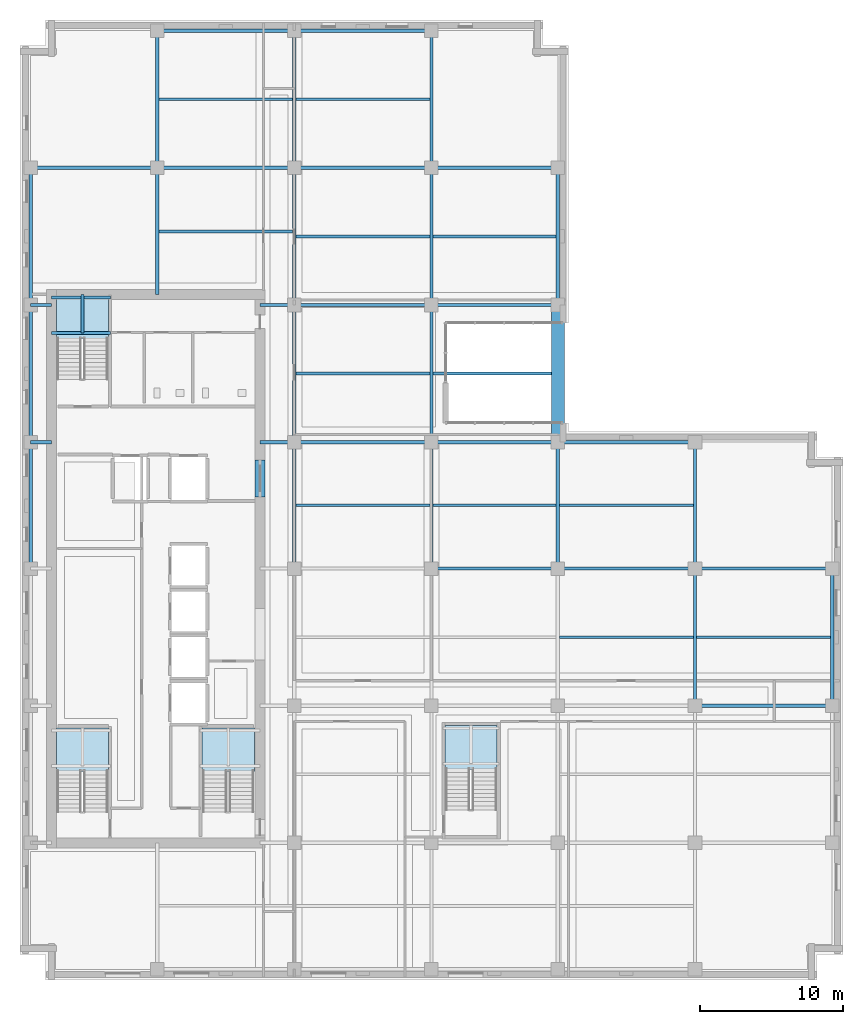
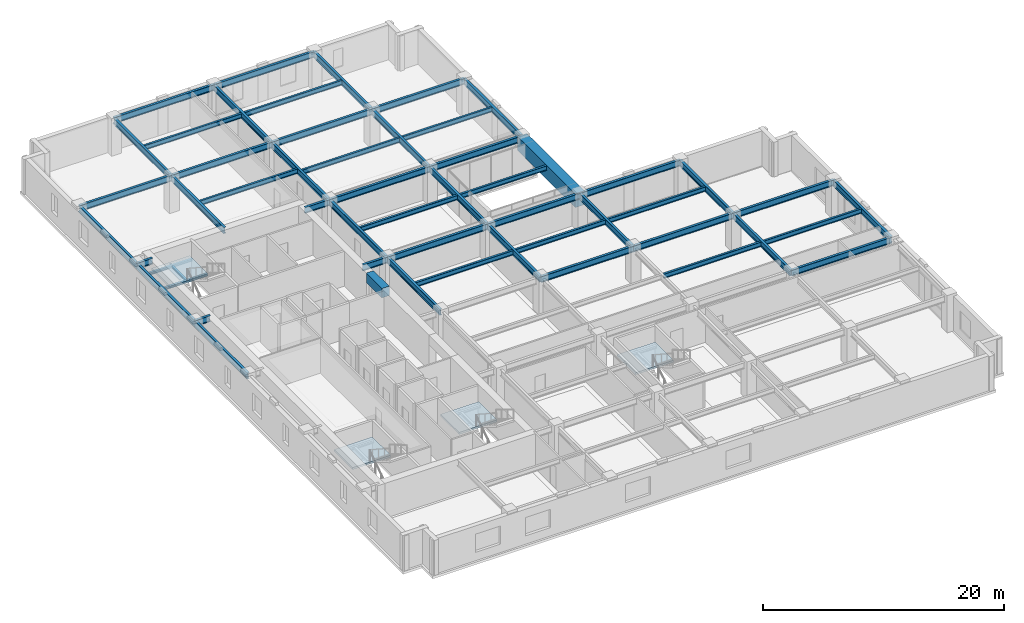
# One storey, part 2 of 13: 54 beams, 4 slabs, 4 elements without a shape of their own.
"""IFC4 building model written with IfcOpenShell, lengths in metres."""

from ifc_helpers import new_model, si_unit, direction, frame, origin, origin_2d, place, context, subcontext, project, spatial, polyline, rectangle, i_section, outline, extrude, material, layer, layer_set, material_profile, profile_set, type_object, element, aggregate, save


model = new_model("IFC4")

# Units and contexts
model_context = context("Model", 3, precision=1e-05, world=origin(), true_north=direction((0.0, 1.0)))
body_context = subcontext(model_context, "Body", "Model", "MODEL_VIEW")
ifc_project = project(units=[si_unit("LENGTHUNIT", "METRE"), si_unit("AREAUNIT", "SQUARE_METRE"), si_unit("VOLUMEUNIT", "CUBIC_METRE"), si_unit("PLANEANGLEUNIT", "RADIAN"), si_unit("MASSUNIT", "GRAM", prefix="KILO")], contexts=[model_context])

# Site, building, storey
site_placement = place(None, origin())
site = spatial("IfcSite", under=ifc_project, at=site_placement, CompositionType="ELEMENT")
building_placement = place(site_placement, origin())
building = spatial("IfcBuilding", under=site, at=building_placement, Name="Norrvale University Quadrangle", CompositionType="ELEMENT")
storey_placement = place(building_placement, frame((0.0, 0.0, 171.199951171875)))
storey = spatial("IfcBuildingStorey", under=building, at=storey_placement, Name="L43", CompositionType="ELEMENT", Elevation=171.199951171875)

# Beams
ifc_material_1 = material(Name="Concrete C80/95", Category="concrete")
ifc_material_profile_1 = material_profile(ifc_material_1, rectangle(XDim=0.699951171875, YDim=0.949951171875, at=origin_2d()), Name="Concrete C80/95")
ifc_profile_set_1 = profile_set([ifc_material_profile_1], Name="Concrete C80/95")
beam_type_1 = type_object("IfcBeamType", Name="Beam Core Link 700x950", PredefinedType="LINTEL", material=ifc_profile_set_1)
beam_1_placement = place(storey_placement, frame((16.800048828125, 33.800048828125, 3.06494140625), z_axis=(0.0, 1.0, 0.0), x_axis=(-1.0, 0.0, 0.0)))
element("IfcBeam", 1, at=beam_1_placement, inside=storey, type_object=beam_type_1, Name="Core Coupling Lintel Beam L43-2", PredefinedType="LINTEL", context=body_context, shape_type="SweptSolid", body=[
    extrude(rectangle(XDim=0.699951171875, YDim=0.949951171875, at=origin_2d()), origin(), (0.0, 0.0, 1.0), 2.599853515625),
])
ifc_material_2 = material(Name="Steel 350W", Category="steel")
ifc_material_profile_2 = material_profile(ifc_material_2, i_section(OverallWidth=0.194091796875, OverallDepth=0.468994140625, WebThickness=0.0126953125, FlangeThickness=0.0205078125, FilletRadius=0.012939453125, at=origin_2d()), Name="Steel 350W")
ifc_profile_set_2 = profile_set([ifc_material_profile_2], Name="Steel 350W")
beam_type_2 = type_object("IfcBeamType", Name="Beam Floor W460x106", PredefinedType="BEAM", material=ifc_profile_set_2)
beam_2_placement = place(storey_placement, frame((9.715087890625, 61.64990234375, 3.3056640625), z_axis=(1.0, 0.0, 0.0), x_axis=(0.0, 1.0, 0.0)))
element("IfcBeam", 2, at=beam_2_placement, inside=storey, type_object=beam_type_2, Name="Beam Floor W460x106 BM-L43-J069", PredefinedType="BEAM", context=body_context, shape_type="SweptSolid", body=[
    extrude(i_section(OverallWidth=0.194091796875, OverallDepth=0.468994140625, WebThickness=0.0126953125, FlangeThickness=0.0205078125, FilletRadius=0.012939453125, at=origin_2d()), origin(), (0.0, 0.0, 1.0), 9.369873046875),
])
for number, where, z_axis, x_axis, name in (
    (3, (19.31494140625, 33.22509765625, 3.3056640625), (1.0, 0.0, 0.0), (0.0, 1.0, 0.0), "Beam Floor W460x106 BM-L43-J073"),
    (4, (19.31494140625, 42.449951171875, 3.3056640625), (1.0, 0.0, 0.0), (0.0, 1.0, 0.0), "Beam Floor W460x106 BM-L43-J074"),
    (5, (19.31494140625, 52.050048828125, 3.3056640625), (1.0, 0.0, 0.0), (0.0, 1.0, 0.0), "Beam Floor W460x106 BM-L43-J075"),
    (6, (19.31494140625, 61.64990234375, 3.3056640625), (1.0, 0.0, 0.0), (0.0, 1.0, 0.0), "Beam Floor W460x106 BM-L43-J076"),
):
    element("IfcBeam", number, at=place(storey_placement, frame(where, z_axis=z_axis, x_axis=x_axis)), inside=storey, type_object=beam_type_2, Name=name, PredefinedType="BEAM", context=body_context, shape_type="SweptSolid", body=[
        extrude(i_section(OverallWidth=0.194091796875, OverallDepth=0.468994140625, WebThickness=0.0126953125, FlangeThickness=0.0205078125, FilletRadius=0.012939453125, at=origin_2d()), origin(), (0.0, 0.0, 1.0), 9.3701171875),
    ])
beam_3_placement = place(storey_placement, frame((28.9150390625, 33.22509765625, 3.3056640625), z_axis=(1.0, 0.0, 0.0), x_axis=(0.0, 1.0, 0.0)))
element("IfcBeam", 7, at=beam_3_placement, inside=storey, type_object=beam_type_2, Name="Beam Floor W460x106 BM-L43-J079", PredefinedType="BEAM", context=body_context, shape_type="SweptSolid", body=[
    extrude(i_section(OverallWidth=0.194091796875, OverallDepth=0.468994140625, WebThickness=0.0126953125, FlangeThickness=0.0205078125, FilletRadius=0.012939453125, at=origin_2d()), origin(), (0.0, 0.0, 1.0), 8.619873046875),
])
beam_4_placement = place(storey_placement, frame((28.9150390625, 42.449951171875, 3.3056640625), z_axis=(1.0, 0.0, 0.0), x_axis=(0.0, 1.0, 0.0)))
element("IfcBeam", 8, at=beam_4_placement, inside=storey, type_object=beam_type_2, Name="Beam Floor W460x106 BM-L43-J080", PredefinedType="BEAM", context=body_context, shape_type="SweptSolid", body=[
    extrude(i_section(OverallWidth=0.194091796875, OverallDepth=0.468994140625, WebThickness=0.0126953125, FlangeThickness=0.0205078125, FilletRadius=0.012939453125, at=origin_2d()), origin(), (0.0, 0.0, 1.0), 8.284912109375),
])
beam_5_placement = place(storey_placement, frame((28.9150390625, 52.050048828125, 3.3056640625), z_axis=(1.0, 0.0, 0.0), x_axis=(0.0, 1.0, 0.0)))
element("IfcBeam", 9, at=beam_5_placement, inside=storey, type_object=beam_type_2, Name="Beam Floor W460x106 BM-L43-J081", PredefinedType="BEAM", context=body_context, shape_type="SweptSolid", body=[
    extrude(i_section(OverallWidth=0.194091796875, OverallDepth=0.468994140625, WebThickness=0.0126953125, FlangeThickness=0.0205078125, FilletRadius=0.012939453125, at=origin_2d()), origin(), (0.0, 0.0, 1.0), 8.619873046875),
])
for number, where, z_axis, x_axis, name in (
    (10, (37.764892578125, 24.0, 3.3056640625), (1.0, 0.0, 0.0), (0.0, 1.0, 0.0), "Beam Floor W460x106 BM-L43-J084"),
    (11, (37.764892578125, 33.22509765625, 3.3056640625), (1.0, 0.0, 0.0), (0.0, 1.0, 0.0), "Beam Floor W460x106 BM-L43-J085"),
    (12, (47.364990234375, 24.0, 3.3056640625), (1.0, 0.0, 0.0), (0.0, 1.0, 0.0), "Beam Floor W460x106 BM-L43-J087"),
):
    element("IfcBeam", number, at=place(storey_placement, frame(where, z_axis=z_axis, x_axis=x_axis)), inside=storey, type_object=beam_type_2, Name=name, PredefinedType="BEAM", context=body_context, shape_type="SweptSolid", body=[
        extrude(i_section(OverallWidth=0.194091796875, OverallDepth=0.468994140625, WebThickness=0.0126953125, FlangeThickness=0.0205078125, FilletRadius=0.012939453125, at=origin_2d()), origin(), (0.0, 0.0, 1.0), 9.3701171875),
    ])
beam_6_placement = place(storey_placement, frame((9.715087890625, 52.39990234375, 3.3056640625), z_axis=(1.0, 0.0, 0.0), x_axis=(0.0, 1.0, 0.0)))
element("IfcBeam", 13, at=beam_6_placement, inside=storey, type_object=beam_type_2, Name="Beam Floor W460x106 BM-L43-JCN091", PredefinedType="BEAM", context=body_context, shape_type="SweptSolid", body=[
    extrude(i_section(OverallWidth=0.194091796875, OverallDepth=0.468994140625, WebThickness=0.0126953125, FlangeThickness=0.0205078125, FilletRadius=0.012939453125, at=origin_2d()), origin(), (0.0, 0.0, 1.0), 9.369873046875),
])
ifc_material_profile_3 = material_profile(ifc_material_2, i_section(OverallWidth=0.22998046875, OverallDepth=0.616943359375, WebThickness=0.01318359375, FlangeThickness=0.022216796875, FilletRadius=0.01611328125, at=origin_2d()), Name="Steel 350W")
ifc_profile_set_3 = profile_set([ifc_material_profile_3], Name="Steel 350W")
beam_type_3 = type_object("IfcBeamType", Name="Beam Floor W610x140", PredefinedType="BEAM", material=ifc_profile_set_3)
beam_7_placement = place(storey_placement, frame((47.25, 19.199951171875, 3.2314453125), z_axis=(1.0, 0.0, 0.0), x_axis=(0.0, 1.0, 0.0)))
element("IfcBeam", 14, at=beam_7_placement, inside=storey, type_object=beam_type_3, Name="Beam Floor W610x140 BM-L43-GX012", PredefinedType="BEAM", context=body_context, shape_type="SweptSolid", body=[
    extrude(i_section(OverallWidth=0.22998046875, OverallDepth=0.616943359375, WebThickness=0.01318359375, FlangeThickness=0.022216796875, FilletRadius=0.01611328125, at=origin_2d()), origin(), (0.0, 0.0, 1.0), 9.60009765625),
])
beam_8_placement = place(storey_placement, frame((28.800048828125, 28.800048828125, 3.2314453125), z_axis=(1.0, 0.0, 0.0), x_axis=(0.0, 1.0, 0.0)))
element("IfcBeam", 15, at=beam_8_placement, inside=storey, type_object=beam_type_3, Name="Beam Floor W610x140 BM-L43-GX014", PredefinedType="BEAM", context=body_context, shape_type="SweptSolid", body=[
    extrude(i_section(OverallWidth=0.22998046875, OverallDepth=0.616943359375, WebThickness=0.01318359375, FlangeThickness=0.022216796875, FilletRadius=0.01611328125, at=origin_2d()), origin(), (0.0, 0.0, 1.0), 8.849853515625),
])
for number, where, z_axis, x_axis, name in (
    (16, (37.64990234375, 28.800048828125, 3.2314453125), (1.0, 0.0, 0.0), (0.0, 1.0, 0.0), "Beam Floor W610x140 BM-L43-GX015"),
    (17, (47.25, 28.800048828125, 3.2314453125), (1.0, 0.0, 0.0), (0.0, 1.0, 0.0), "Beam Floor W610x140 BM-L43-GX016"),
    (18, (19.199951171875, 37.64990234375, 3.2314453125), (1.0, 0.0, 0.0), (0.0, 1.0, 0.0), "Beam Floor W610x140 BM-L43-GX017"),
):
    element("IfcBeam", number, at=place(storey_placement, frame(where, z_axis=z_axis, x_axis=x_axis)), inside=storey, type_object=beam_type_3, Name=name, PredefinedType="BEAM", context=body_context, shape_type="SweptSolid", body=[
        extrude(i_section(OverallWidth=0.22998046875, OverallDepth=0.616943359375, WebThickness=0.01318359375, FlangeThickness=0.022216796875, FilletRadius=0.01611328125, at=origin_2d()), origin(), (0.0, 0.0, 1.0), 9.60009765625),
    ])
beam_9_placement = place(storey_placement, frame((28.800048828125, 37.64990234375, 3.2314453125), z_axis=(1.0, 0.0, 0.0), x_axis=(0.0, 1.0, 0.0)))
element("IfcBeam", 19, at=beam_9_placement, inside=storey, type_object=beam_type_3, Name="Beam Floor W610x140 BM-L43-GX018", PredefinedType="BEAM", context=body_context, shape_type="SweptSolid", body=[
    extrude(i_section(OverallWidth=0.22998046875, OverallDepth=0.616943359375, WebThickness=0.01318359375, FlangeThickness=0.022216796875, FilletRadius=0.01611328125, at=origin_2d()), origin(), (0.0, 0.0, 1.0), 8.849853515625),
])
for number, where, z_axis, x_axis, name in (
    (20, (37.64990234375, 37.64990234375, 3.2314453125), (1.0, 0.0, 0.0), (0.0, 1.0, 0.0), "Beam Floor W610x140 BM-L43-GX019"),
    (21, (19.199951171875, 47.25, 3.2314453125), (1.0, 0.0, 0.0), (0.0, 1.0, 0.0), "Beam Floor W610x140 BM-L43-GX020"),
):
    element("IfcBeam", number, at=place(storey_placement, frame(where, z_axis=z_axis, x_axis=x_axis)), inside=storey, type_object=beam_type_3, Name=name, PredefinedType="BEAM", context=body_context, shape_type="SweptSolid", body=[
        extrude(i_section(OverallWidth=0.22998046875, OverallDepth=0.616943359375, WebThickness=0.01318359375, FlangeThickness=0.022216796875, FilletRadius=0.01611328125, at=origin_2d()), origin(), (0.0, 0.0, 1.0), 9.60009765625),
    ])
beam_10_placement = place(storey_placement, frame((28.800048828125, 47.25, 3.2314453125), z_axis=(1.0, 0.0, 0.0), x_axis=(0.0, 1.0, 0.0)))
element("IfcBeam", 22, at=beam_10_placement, inside=storey, type_object=beam_type_3, Name="Beam Floor W610x140 BM-L43-GX021", PredefinedType="BEAM", context=body_context, shape_type="SweptSolid", body=[
    extrude(i_section(OverallWidth=0.22998046875, OverallDepth=0.616943359375, WebThickness=0.01318359375, FlangeThickness=0.022216796875, FilletRadius=0.01611328125, at=origin_2d()), origin(), (0.0, 0.0, 1.0), 8.849853515625),
])
beam_11_placement = place(storey_placement, frame((0.75, 56.85009765625, 3.2314453125), z_axis=(1.0, 0.0, 0.0), x_axis=(0.0, 1.0, 0.0)))
element("IfcBeam", 23, at=beam_11_placement, inside=storey, type_object=beam_type_3, Name="Beam Floor W610x140 BM-L43-GX022", PredefinedType="BEAM", context=body_context, shape_type="SweptSolid", body=[
    extrude(i_section(OverallWidth=0.22998046875, OverallDepth=0.616943359375, WebThickness=0.01318359375, FlangeThickness=0.022216796875, FilletRadius=0.01611328125, at=origin_2d()), origin(), (0.0, 0.0, 1.0), 8.85009765625),
])
beam_12_placement = place(storey_placement, frame((9.60009765625, 56.85009765625, 3.2314453125), z_axis=(1.0, 0.0, 0.0), x_axis=(0.0, 1.0, 0.0)))
element("IfcBeam", 24, at=beam_12_placement, inside=storey, type_object=beam_type_3, Name="Beam Floor W610x140 BM-L43-GX023", PredefinedType="BEAM", context=body_context, shape_type="SweptSolid", body=[
    extrude(i_section(OverallWidth=0.22998046875, OverallDepth=0.616943359375, WebThickness=0.01318359375, FlangeThickness=0.022216796875, FilletRadius=0.01611328125, at=origin_2d()), origin(), (0.0, 0.0, 1.0), 9.599853515625),
])
beam_13_placement = place(storey_placement, frame((19.199951171875, 56.85009765625, 3.2314453125), z_axis=(1.0, 0.0, 0.0), x_axis=(0.0, 1.0, 0.0)))
element("IfcBeam", 25, at=beam_13_placement, inside=storey, type_object=beam_type_3, Name="Beam Floor W610x140 BM-L43-GX024", PredefinedType="BEAM", context=body_context, shape_type="SweptSolid", body=[
    extrude(i_section(OverallWidth=0.22998046875, OverallDepth=0.616943359375, WebThickness=0.01318359375, FlangeThickness=0.022216796875, FilletRadius=0.01611328125, at=origin_2d()), origin(), (0.0, 0.0, 1.0), 9.60009765625),
])
beam_14_placement = place(storey_placement, frame((28.800048828125, 56.85009765625, 3.2314453125), z_axis=(1.0, 0.0, 0.0), x_axis=(0.0, 1.0, 0.0)))
element("IfcBeam", 26, at=beam_14_placement, inside=storey, type_object=beam_type_3, Name="Beam Floor W610x140 BM-L43-GX025", PredefinedType="BEAM", context=body_context, shape_type="SweptSolid", body=[
    extrude(i_section(OverallWidth=0.22998046875, OverallDepth=0.616943359375, WebThickness=0.01318359375, FlangeThickness=0.022216796875, FilletRadius=0.01611328125, at=origin_2d()), origin(), (0.0, 0.0, 1.0), 8.849853515625),
])
beam_15_placement = place(storey_placement, frame((9.60009765625, 66.449951171875, 3.2314453125), z_axis=(1.0, 0.0, 0.0), x_axis=(0.0, 1.0, 0.0)))
element("IfcBeam", 27, at=beam_15_placement, inside=storey, type_object=beam_type_3, Name="Beam Floor W610x140 BM-L43-GX026", PredefinedType="BEAM", context=body_context, shape_type="SweptSolid", body=[
    extrude(i_section(OverallWidth=0.22998046875, OverallDepth=0.616943359375, WebThickness=0.01318359375, FlangeThickness=0.022216796875, FilletRadius=0.01611328125, at=origin_2d()), origin(), (0.0, 0.0, 1.0), 9.599853515625),
])
beam_16_placement = place(storey_placement, frame((19.199951171875, 66.449951171875, 3.2314453125), z_axis=(1.0, 0.0, 0.0), x_axis=(0.0, 1.0, 0.0)))
element("IfcBeam", 28, at=beam_16_placement, inside=storey, type_object=beam_type_3, Name="Beam Floor W610x140 BM-L43-GX027", PredefinedType="BEAM", context=body_context, shape_type="SweptSolid", body=[
    extrude(i_section(OverallWidth=0.22998046875, OverallDepth=0.616943359375, WebThickness=0.01318359375, FlangeThickness=0.022216796875, FilletRadius=0.01611328125, at=origin_2d()), origin(), (0.0, 0.0, 1.0), 9.60009765625),
])
beam_17_placement = place(storey_placement, frame((0.75, 28.800048828125, 3.2314453125), z_axis=(0.0, 1.0, 0.0), x_axis=(-1.0, 0.0, 0.0)))
element("IfcBeam", 29, at=beam_17_placement, inside=storey, type_object=beam_type_3, Name="Beam Floor W610x140 BM-L43-GY030", PredefinedType="BEAM", context=body_context, shape_type="SweptSolid", body=[
    extrude(i_section(OverallWidth=0.22998046875, OverallDepth=0.616943359375, WebThickness=0.01318359375, FlangeThickness=0.022216796875, FilletRadius=0.01611328125, at=origin_2d()), origin(), (0.0, 0.0, 1.0), 8.849853515625),
])
for number, where, z_axis, x_axis, name in (
    (30, (0.75, 37.64990234375, 3.2314453125), (0.0, 1.0, 0.0), (-1.0, 0.0, 0.0), "Beam Floor W610x140 BM-L43-GY031"),
    (31, (0.75, 47.25, 3.2314453125), (0.0, 1.0, 0.0), (-1.0, 0.0, 0.0), "Beam Floor W610x140 BM-L43-GY032"),
):
    element("IfcBeam", number, at=place(storey_placement, frame(where, z_axis=z_axis, x_axis=x_axis)), inside=storey, type_object=beam_type_3, Name=name, PredefinedType="BEAM", context=body_context, shape_type="SweptSolid", body=[
        extrude(i_section(OverallWidth=0.22998046875, OverallDepth=0.616943359375, WebThickness=0.01318359375, FlangeThickness=0.022216796875, FilletRadius=0.01611328125, at=origin_2d()), origin(), (0.0, 0.0, 1.0), 9.60009765625),
    ])
beam_18_placement = place(storey_placement, frame((9.60009765625, 56.85009765625, 3.2314453125), z_axis=(0.0, 1.0, 0.0), x_axis=(-1.0, 0.0, 0.0)))
element("IfcBeam", 32, at=beam_18_placement, inside=storey, type_object=beam_type_3, Name="Beam Floor W610x140 BM-L43-GY033", PredefinedType="BEAM", context=body_context, shape_type="SweptSolid", body=[
    extrude(i_section(OverallWidth=0.22998046875, OverallDepth=0.616943359375, WebThickness=0.01318359375, FlangeThickness=0.022216796875, FilletRadius=0.01611328125, at=origin_2d()), origin(), (0.0, 0.0, 1.0), 9.599853515625),
])
beam_19_placement = place(storey_placement, frame((19.199951171875, 28.800048828125, 3.2314453125), z_axis=(0.0, 1.0, 0.0), x_axis=(-1.0, 0.0, 0.0)))
element("IfcBeam", 33, at=beam_19_placement, inside=storey, type_object=beam_type_3, Name="Beam Floor W610x140 BM-L43-GY037", PredefinedType="BEAM", context=body_context, shape_type="SweptSolid", body=[
    extrude(i_section(OverallWidth=0.22998046875, OverallDepth=0.616943359375, WebThickness=0.01318359375, FlangeThickness=0.022216796875, FilletRadius=0.01611328125, at=origin_2d()), origin(), (0.0, 0.0, 1.0), 8.849853515625),
])
for number, where, z_axis, x_axis, name in (
    (34, (19.199951171875, 37.64990234375, 3.2314453125), (0.0, 1.0, 0.0), (-1.0, 0.0, 0.0), "Beam Floor W610x140 BM-L43-GY038"),
    (35, (19.199951171875, 47.25, 3.2314453125), (0.0, 1.0, 0.0), (-1.0, 0.0, 0.0), "Beam Floor W610x140 BM-L43-GY039"),
):
    element("IfcBeam", number, at=place(storey_placement, frame(where, z_axis=z_axis, x_axis=x_axis)), inside=storey, type_object=beam_type_3, Name=name, PredefinedType="BEAM", context=body_context, shape_type="SweptSolid", body=[
        extrude(i_section(OverallWidth=0.22998046875, OverallDepth=0.616943359375, WebThickness=0.01318359375, FlangeThickness=0.022216796875, FilletRadius=0.01611328125, at=origin_2d()), origin(), (0.0, 0.0, 1.0), 9.60009765625),
    ])
beam_20_placement = place(storey_placement, frame((19.199951171875, 56.85009765625, 3.2314453125), z_axis=(0.0, 1.0, 0.0), x_axis=(-1.0, 0.0, 0.0)))
element("IfcBeam", 36, at=beam_20_placement, inside=storey, type_object=beam_type_3, Name="Beam Floor W610x140 BM-L43-GY040", PredefinedType="BEAM", context=body_context, shape_type="SweptSolid", body=[
    extrude(i_section(OverallWidth=0.22998046875, OverallDepth=0.616943359375, WebThickness=0.01318359375, FlangeThickness=0.022216796875, FilletRadius=0.01611328125, at=origin_2d()), origin(), (0.0, 0.0, 1.0), 9.599853515625),
])
beam_21_placement = place(storey_placement, frame((28.800048828125, 28.800048828125, 3.2314453125), z_axis=(0.0, 1.0, 0.0), x_axis=(-1.0, 0.0, 0.0)))
element("IfcBeam", 37, at=beam_21_placement, inside=storey, type_object=beam_type_3, Name="Beam Floor W610x140 BM-L43-GY044", PredefinedType="BEAM", context=body_context, shape_type="SweptSolid", body=[
    extrude(i_section(OverallWidth=0.22998046875, OverallDepth=0.616943359375, WebThickness=0.01318359375, FlangeThickness=0.022216796875, FilletRadius=0.01611328125, at=origin_2d()), origin(), (0.0, 0.0, 1.0), 8.849853515625),
])
for number, where, z_axis, x_axis, name in (
    (38, (28.800048828125, 37.64990234375, 3.2314453125), (0.0, 1.0, 0.0), (-1.0, 0.0, 0.0), "Beam Floor W610x140 BM-L43-GY045"),
    (39, (28.800048828125, 47.25, 3.2314453125), (0.0, 1.0, 0.0), (-1.0, 0.0, 0.0), "Beam Floor W610x140 BM-L43-GY046"),
):
    element("IfcBeam", number, at=place(storey_placement, frame(where, z_axis=z_axis, x_axis=x_axis)), inside=storey, type_object=beam_type_3, Name=name, PredefinedType="BEAM", context=body_context, shape_type="SweptSolid", body=[
        extrude(i_section(OverallWidth=0.22998046875, OverallDepth=0.616943359375, WebThickness=0.01318359375, FlangeThickness=0.022216796875, FilletRadius=0.01611328125, at=origin_2d()), origin(), (0.0, 0.0, 1.0), 9.60009765625),
    ])
beam_22_placement = place(storey_placement, frame((28.800048828125, 56.85009765625, 3.2314453125), z_axis=(0.0, 1.0, 0.0), x_axis=(-1.0, 0.0, 0.0)))
element("IfcBeam", 40, at=beam_22_placement, inside=storey, type_object=beam_type_3, Name="Beam Floor W610x140 BM-L43-GY047", PredefinedType="BEAM", context=body_context, shape_type="SweptSolid", body=[
    extrude(i_section(OverallWidth=0.22998046875, OverallDepth=0.616943359375, WebThickness=0.01318359375, FlangeThickness=0.022216796875, FilletRadius=0.01611328125, at=origin_2d()), origin(), (0.0, 0.0, 1.0), 9.599853515625),
])
beam_23_placement = place(storey_placement, frame((37.64990234375, 28.800048828125, 3.2314453125), z_axis=(0.0, 1.0, 0.0), x_axis=(-1.0, 0.0, 0.0)))
element("IfcBeam", 41, at=beam_23_placement, inside=storey, type_object=beam_type_3, Name="Beam Floor W610x140 BM-L43-GY051", PredefinedType="BEAM", context=body_context, shape_type="SweptSolid", body=[
    extrude(i_section(OverallWidth=0.22998046875, OverallDepth=0.616943359375, WebThickness=0.01318359375, FlangeThickness=0.022216796875, FilletRadius=0.01611328125, at=origin_2d()), origin(), (0.0, 0.0, 1.0), 8.849853515625),
])
for number, where, z_axis, x_axis, name in (
    (42, (37.64990234375, 47.25, 3.2314453125), (0.0, 1.0, 0.0), (-1.0, 0.0, 0.0), "Beam Floor W610x140 BM-L43-GY052"),
    (43, (47.25, 19.199951171875, 3.2314453125), (0.0, 1.0, 0.0), (-1.0, 0.0, 0.0), "Beam Floor W610x140 BM-L43-GY055"),
):
    element("IfcBeam", number, at=place(storey_placement, frame(where, z_axis=z_axis, x_axis=x_axis)), inside=storey, type_object=beam_type_3, Name=name, PredefinedType="BEAM", context=body_context, shape_type="SweptSolid", body=[
        extrude(i_section(OverallWidth=0.22998046875, OverallDepth=0.616943359375, WebThickness=0.01318359375, FlangeThickness=0.022216796875, FilletRadius=0.01611328125, at=origin_2d()), origin(), (0.0, 0.0, 1.0), 9.60009765625),
    ])
beam_24_placement = place(storey_placement, frame((47.25, 28.800048828125, 3.2314453125), z_axis=(0.0, 1.0, 0.0), x_axis=(-1.0, 0.0, 0.0)))
element("IfcBeam", 44, at=beam_24_placement, inside=storey, type_object=beam_type_3, Name="Beam Floor W610x140 BM-L43-GY056", PredefinedType="BEAM", context=body_context, shape_type="SweptSolid", body=[
    extrude(i_section(OverallWidth=0.22998046875, OverallDepth=0.616943359375, WebThickness=0.01318359375, FlangeThickness=0.022216796875, FilletRadius=0.01611328125, at=origin_2d()), origin(), (0.0, 0.0, 1.0), 8.849853515625),
])
beam_25_placement = place(storey_placement, frame((56.85009765625, 19.199951171875, 3.2314453125), z_axis=(0.0, 1.0, 0.0), x_axis=(-1.0, 0.0, 0.0)))
element("IfcBeam", 45, at=beam_25_placement, inside=storey, type_object=beam_type_3, Name="Beam Floor W610x140 BM-L43-GY058", PredefinedType="BEAM", context=body_context, shape_type="SweptSolid", body=[
    extrude(i_section(OverallWidth=0.22998046875, OverallDepth=0.616943359375, WebThickness=0.01318359375, FlangeThickness=0.022216796875, FilletRadius=0.01611328125, at=origin_2d()), origin(), (0.0, 0.0, 1.0), 9.60009765625),
])
beam_26_placement = place(storey_placement, frame((0.75, 37.64990234375, 3.2314453125), z_axis=(1.0, 0.0, 0.0), x_axis=(0.0, 1.0, 0.0)))
element("IfcBeam", 46, at=beam_26_placement, inside=storey, type_object=beam_type_3, Name="Beam Floor W610x140 BM-L43-GCW065", PredefinedType="BEAM", context=body_context, shape_type="SweptSolid", body=[
    extrude(i_section(OverallWidth=0.22998046875, OverallDepth=0.616943359375, WebThickness=0.01318359375, FlangeThickness=0.022216796875, FilletRadius=0.01611328125, at=origin_2d()), origin(), (0.0, 0.0, 1.0), 1.449951171875),
])
beam_27_placement = place(storey_placement, frame((16.800048828125, 37.64990234375, 3.2314453125), z_axis=(1.0, 0.0, 0.0), x_axis=(0.0, 1.0, 0.0)))
element("IfcBeam", 47, at=beam_27_placement, inside=storey, type_object=beam_type_3, Name="Beam Floor W610x140 BM-L43-GCE066", PredefinedType="BEAM", context=body_context, shape_type="SweptSolid", body=[
    extrude(i_section(OverallWidth=0.22998046875, OverallDepth=0.616943359375, WebThickness=0.01318359375, FlangeThickness=0.022216796875, FilletRadius=0.01611328125, at=origin_2d()), origin(), (0.0, 0.0, 1.0), 2.39990234375),
])
beam_28_placement = place(storey_placement, frame((0.75, 47.25, 3.2314453125), z_axis=(1.0, 0.0, 0.0), x_axis=(0.0, 1.0, 0.0)))
element("IfcBeam", 48, at=beam_28_placement, inside=storey, type_object=beam_type_3, Name="Beam Floor W610x140 BM-L43-GCW067", PredefinedType="BEAM", context=body_context, shape_type="SweptSolid", body=[
    extrude(i_section(OverallWidth=0.22998046875, OverallDepth=0.616943359375, WebThickness=0.01318359375, FlangeThickness=0.022216796875, FilletRadius=0.01611328125, at=origin_2d()), origin(), (0.0, 0.0, 1.0), 1.449951171875),
])
beam_29_placement = place(storey_placement, frame((16.800048828125, 47.25, 3.2314453125), z_axis=(1.0, 0.0, 0.0), x_axis=(0.0, 1.0, 0.0)))
element("IfcBeam", 49, at=beam_29_placement, inside=storey, type_object=beam_type_3, Name="Beam Floor W610x140 BM-L43-GCE068", PredefinedType="BEAM", context=body_context, shape_type="SweptSolid", body=[
    extrude(i_section(OverallWidth=0.22998046875, OverallDepth=0.616943359375, WebThickness=0.01318359375, FlangeThickness=0.022216796875, FilletRadius=0.01611328125, at=origin_2d()), origin(), (0.0, 0.0, 1.0), 2.39990234375),
])
beam_30_placement = place(storey_placement, frame((9.60009765625, 48.0, 3.2314453125), z_axis=(0.0, 1.0, 0.0), x_axis=(-1.0, 0.0, 0.0)))
element("IfcBeam", 50, at=beam_30_placement, inside=storey, type_object=beam_type_3, Name="Beam Floor W610x140 BM-L43-GCN090", PredefinedType="BEAM", context=body_context, shape_type="SweptSolid", body=[
    extrude(i_section(OverallWidth=0.22998046875, OverallDepth=0.616943359375, WebThickness=0.01318359375, FlangeThickness=0.022216796875, FilletRadius=0.01611328125, at=origin_2d()), origin(), (0.0, 0.0, 1.0), 8.85009765625),
])
ifc_material_profile_4 = material_profile(ifc_material_2, i_section(OverallWidth=0.201904296875, OverallDepth=0.2470703125, WebThickness=0.00732421875, FlangeThickness=0.010986328125, FilletRadius=0.011962890625, at=origin_2d()), Name="Steel 350W")
ifc_profile_set_4 = profile_set([ifc_material_profile_4], Name="Steel 350W")
beam_type_4 = type_object("IfcBeamType", Name="Beam Stair W250x49", PredefinedType="BEAM", material=ifc_profile_set_4)
for number, where, z_axis, x_axis, name in (
    (51, (2.199951171875, 45.2900390625, 1.57666015625), (1.0, 0.0, 0.0), (0.0, 1.0, 0.0), "Stair Mid-Landing Front Beam ST-02 L43"),
    (52, (2.199951171875, 47.77001953125, 1.57666015625), (1.0, 0.0, 0.0), (0.0, 1.0, 0.0), "Stair Mid-Landing Rear Beam ST-02 L43"),
):
    element("IfcBeam", number, at=place(storey_placement, frame(where, z_axis=z_axis, x_axis=x_axis)), inside=storey, type_object=beam_type_4, Name=name, PredefinedType="BEAM", context=body_context, shape_type="SweptSolid", body=[
        extrude(i_section(OverallWidth=0.201904296875, OverallDepth=0.2470703125, WebThickness=0.00732421875, FlangeThickness=0.010986328125, FilletRadius=0.011962890625, at=origin_2d()), origin(), (0.0, 0.0, 1.0), 4.14013671875),
    ])
ifc_material_3 = material(Name="Concrete C60/75", Category="concrete")
ifc_material_profile_5 = material_profile(ifc_material_3, rectangle(XDim=0.89990234375, YDim=1.39990234375, at=origin_2d()), Name="Concrete C60/75")
ifc_profile_set_5 = profile_set([ifc_material_profile_5], Name="Concrete C60/75")
beam_type_5 = type_object("IfcBeamType", Name="Beam Transfer 900x1400", PredefinedType="USERDEFINED", material=ifc_profile_set_5)
beam_31_placement = place(storey_placement, frame((37.64990234375, 37.64990234375, 2.840087890625), z_axis=(0.0, 1.0, 0.0), x_axis=(-1.0, 0.0, 0.0)))
element("IfcBeam", 53, at=beam_31_placement, inside=storey, type_object=beam_type_5, Name="Setback Transfer Girder L43-28", ObjectType="TRANSFER GIRDER", PredefinedType="USERDEFINED", context=body_context, shape_type="SweptSolid", body=[
    extrude(rectangle(XDim=0.89990234375, YDim=1.39990234375, at=origin_2d()), origin(), (0.0, 0.0, 1.0), 9.60009765625),
])
ifc_material_profile_6 = material_profile(ifc_material_2, i_section(OverallWidth=0.202880859375, OverallDepth=0.202880859375, WebThickness=0.007080078125, FlangeThickness=0.010986328125, FilletRadius=0.010009765625, at=origin_2d()), Name="Steel 350W")
ifc_profile_set_6 = profile_set([ifc_material_profile_6], Name="Steel 350W")
beam_type_6 = type_object("IfcBeamType", Name="Beam Trim W200x46", PredefinedType="BEAM", material=ifc_profile_set_6)
beam_32_placement = place(storey_placement, frame((4.375, 45.2900390625, 1.5986328125), z_axis=(0.0, 1.0, 0.0), x_axis=(-1.0, 0.0, 0.0)))
element("IfcBeam", 54, at=beam_32_placement, inside=storey, type_object=beam_type_6, Name="Stair Mid-Landing Cross Beam ST-02 L43", PredefinedType="BEAM", context=body_context, shape_type="SweptSolid", body=[
    extrude(i_section(OverallWidth=0.202880859375, OverallDepth=0.202880859375, WebThickness=0.007080078125, FlangeThickness=0.010986328125, FilletRadius=0.010009765625, at=origin_2d()), origin(), (0.0, 0.0, 1.0), 2.7099609375),
])

# Stair, slab
ifc_material_4 = material(Name="Concrete C40/50", Category="concrete")
stair_type = type_object("IfcStairType", Name="Stair Tower Typ 3800", PredefinedType="TWO_STRAIGHT_RUN_STAIR", material=ifc_material_4)
stair_1_placement = place(storey_placement, origin())
stair_1 = element("IfcStair", 55, at=stair_1_placement, inside=storey, type_object=stair_type, Name="Exit Stair ST-01 L43", PredefinedType="TWO_STRAIGHT_RUN_STAIR")
ifc_layer = layer(ifc_material_4, 0.199951171875, Name="Concrete C40/50")
ifc_layer_set = layer_set([ifc_layer], Name="Concrete C40/50")
slab_type = type_object("IfcSlabType", Name="Slab Landing 200", PredefinedType="LANDING", material=ifc_layer_set)
slab_1_placement = place(storey_placement, frame((0.0, 0.0, 1.699951171875)))
slab_1 = element("IfcSlab", 56, at=slab_1_placement, type_object=slab_type, Name="Exit Stair ST-01 L43 Mid Landing", PredefinedType="LANDING", context=body_context, shape_type="SweptSolid", body=[
    extrude(outline(polyline([(2.550048828125, 14.590087890625), (6.199951171875, 14.590087890625), (6.199951171875, 17.64990234375), (2.550048828125, 17.64990234375), (2.550048828125, 14.590087890625)])), origin(), (0.0, 0.0, 1.0), 0.2001953125),
])
aggregate(stair_1, [slab_1])

stair_2_placement = place(storey_placement, origin())
stair_2 = element("IfcStair", 57, at=stair_2_placement, inside=storey, type_object=stair_type, Name="Exit Stair ST-02 L43", PredefinedType="TWO_STRAIGHT_RUN_STAIR")
slab_2_placement = place(storey_placement, frame((0.0, 0.0, 1.699951171875)))
slab_2 = element("IfcSlab", 58, at=slab_2_placement, type_object=slab_type, Name="Exit Stair ST-02 L43 Mid Landing", PredefinedType="LANDING", context=body_context, shape_type="SweptSolid", body=[
    extrude(outline(polyline([(2.550048828125, 44.889892578125), (6.199951171875, 44.889892578125), (6.199951171875, 47.949951171875), (2.550048828125, 47.949951171875), (2.550048828125, 44.889892578125)])), origin(), (0.0, 0.0, 1.0), 0.2001953125),
])
aggregate(stair_2, [slab_2])

stair_3_placement = place(storey_placement, origin())
stair_3 = element("IfcStair", 59, at=stair_3_placement, inside=storey, type_object=stair_type, Name="Exit Stair ST-03 L43", PredefinedType="TWO_STRAIGHT_RUN_STAIR")
slab_3_placement = place(storey_placement, frame((0.0, 0.0, 1.699951171875)))
slab_3 = element("IfcSlab", 60, at=slab_3_placement, type_object=slab_type, Name="Exit Stair ST-03 L43 Mid Landing", PredefinedType="LANDING", context=body_context, shape_type="SweptSolid", body=[
    extrude(outline(polyline([(12.75, 14.590087890625), (16.39990234375, 14.590087890625), (16.39990234375, 17.64990234375), (12.75, 17.64990234375), (12.75, 14.590087890625)])), origin(), (0.0, 0.0, 1.0), 0.2001953125),
])
aggregate(stair_3, [slab_3])

stair_4_placement = place(storey_placement, origin())
stair_4 = element("IfcStair", 61, at=stair_4_placement, inside=storey, type_object=stair_type, Name="Exit Stair ST-04 L43", PredefinedType="TWO_STRAIGHT_RUN_STAIR")
slab_4_placement = place(storey_placement, frame((0.0, 0.0, 1.699951171875)))
slab_4 = element("IfcSlab", 62, at=slab_4_placement, type_object=slab_type, Name="Exit Stair ST-04 L43 Mid Landing", PredefinedType="LANDING", context=body_context, shape_type="SweptSolid", body=[
    extrude(outline(polyline([(29.75, 14.739990234375), (33.39990234375, 14.739990234375), (33.39990234375, 17.800048828125), (29.75, 17.800048828125), (29.75, 14.739990234375)])), origin(), (0.0, 0.0, 1.0), 0.2001953125),
])
aggregate(stair_4, [slab_4])

save(model, "model.ifc")
